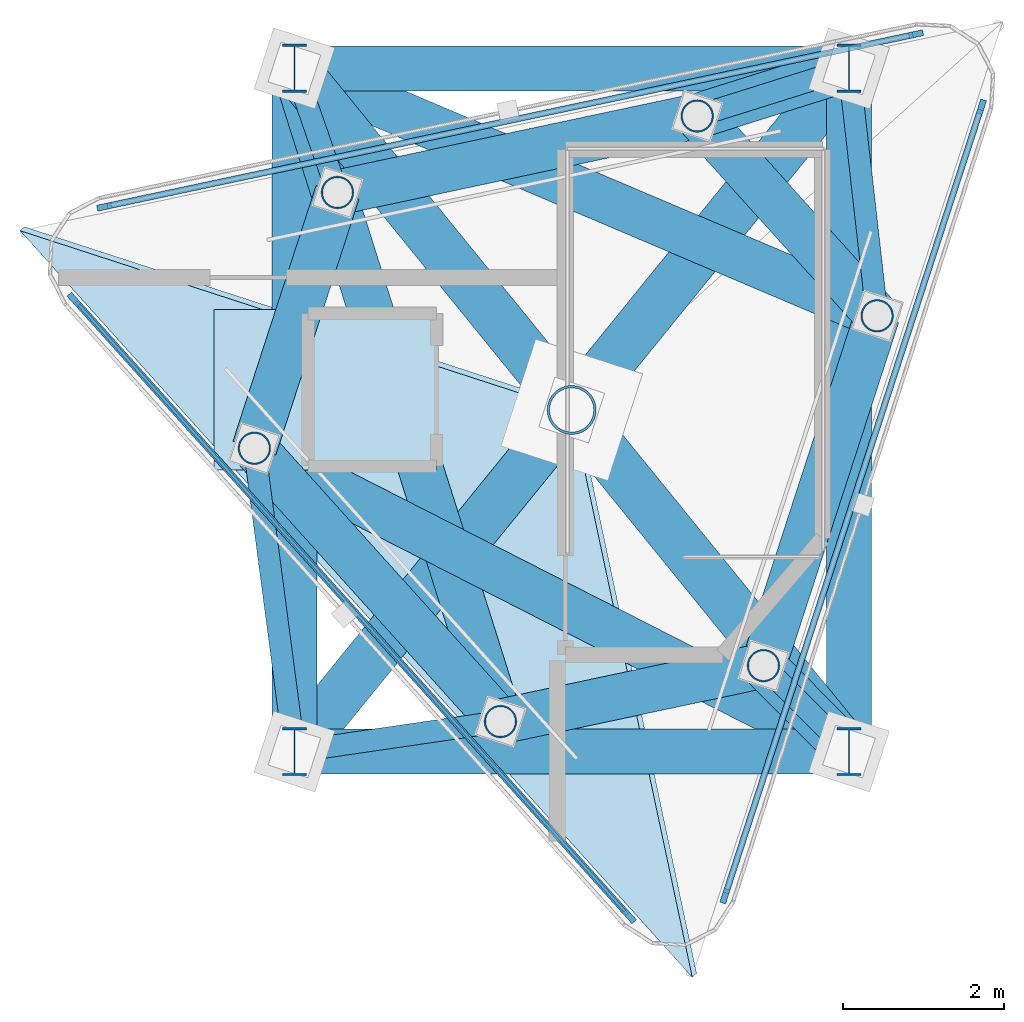
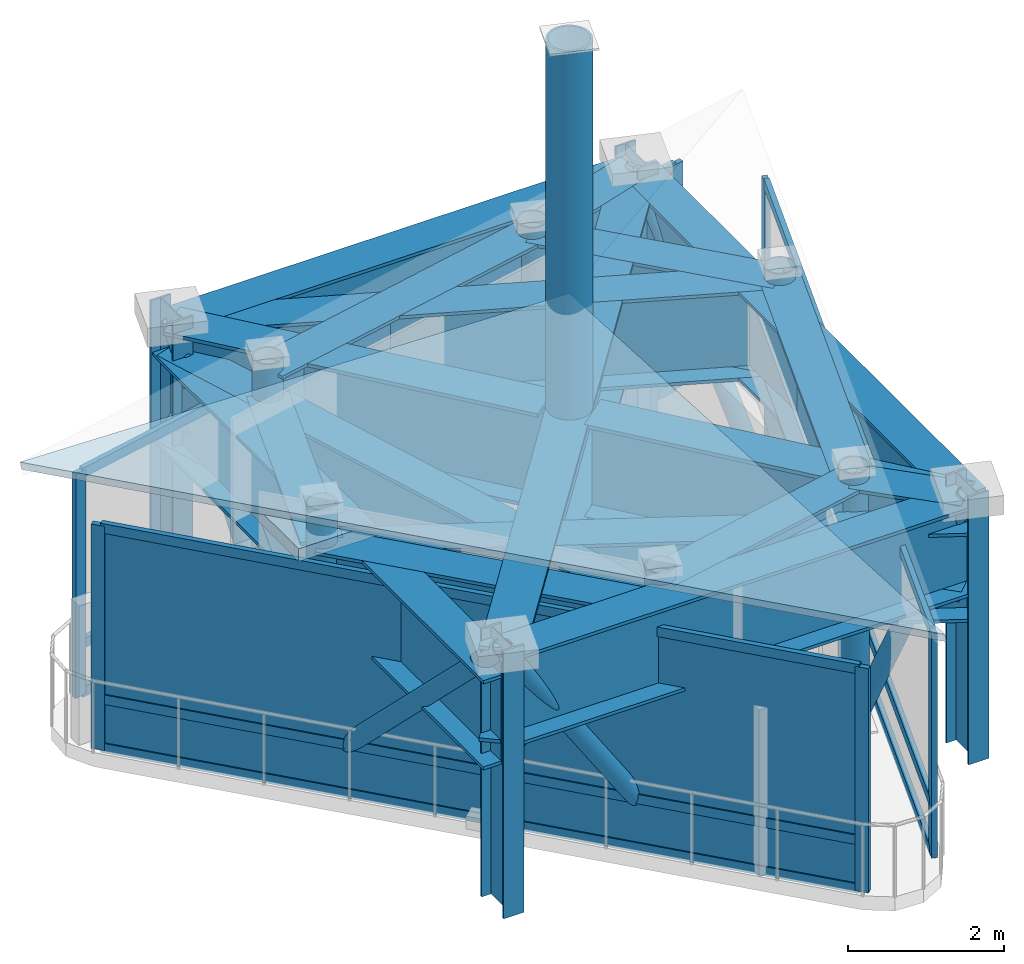
# One storey, part 1 of 3: 21 members, 18 beams, 11 columns, 2 plates, 2 slabs, 3 elements without a shape of their own.
"""IFC4 building model written with IfcOpenShell, lengths in metres."""

from ifc_helpers import new_model, si_unit, direction, frame, origin, origin_2d, place, context, subcontext, project, spatial, polyline, rectangle, hollow_circle, i_section, outline, extrude, material, layer, layer_set, material_profile, profile_set, type_object, element, aggregate, save


model = new_model("IFC4")

# Units and contexts
model_context = context("Model", 3, precision=1e-05, world=origin(), true_north=direction((0.0, 1.0)))
body_context = subcontext(model_context, "Body", "Model", "MODEL_VIEW")
ifc_project = project(units=[si_unit("LENGTHUNIT", "METRE"), si_unit("AREAUNIT", "SQUARE_METRE"), si_unit("VOLUMEUNIT", "CUBIC_METRE"), si_unit("PLANEANGLEUNIT", "RADIAN"), si_unit("MASSUNIT", "GRAM", prefix="KILO")], contexts=[model_context])

# Site, building, storey
site_placement = place(None, origin())
site = spatial("IfcSite", under=ifc_project, at=site_placement, CompositionType="ELEMENT")
building_placement = place(site_placement, origin())
building = spatial("IfcBuilding", under=site, at=building_placement, Name="Terralouvre Media Tower", CompositionType="ELEMENT")
storey_placement = place(building_placement, frame((0.0, 0.0, 339.199951171875)))
storey = spatial("IfcBuildingStorey", under=building, at=storey_placement, Name="L87", CompositionType="ELEMENT", Elevation=339.199951171875)

# Columns
ifc_material_1 = material(Name="Structural steel S460M", Category="steel")
ifc_material_profile_1 = material_profile(ifc_material_1, hollow_circle(Radius=0.304931640625, WallThickness=0.030029296875, at=origin_2d()), Name="CHS 610x30")
ifc_profile_set_1 = profile_set([ifc_material_profile_1], Name="Structural steel S460M")
column_type_1 = type_object("IfcColumnType", Name="Broadcast Spire Mast SP-01 (CHS 610x30)", PredefinedType="USERDEFINED", material=ifc_profile_set_1)
column_placement = place(storey_placement, frame((0.0, 0.0, 4.02001953125), z_axis=(0.0, 0.0, 1.0), x_axis=(1.0, 0.0, 0.0)))
element("IfcColumn", 1, at=column_placement, inside=storey, type_object=column_type_1, Name="Broadcast Spire Mast SP-01", ObjectType="SPIRE", PredefinedType="USERDEFINED", context=body_context, shape_type="SweptSolid", body=[
    extrude(hollow_circle(Radius=0.304931640625, WallThickness=0.030029296875, at=origin_2d()), origin(), (0.0, 0.0, 1.0), 5.780029296875),
])
ifc_material_2 = material(Name="Structural steel S460M", Category="steel")
ifc_material_profile_2 = material_profile(ifc_material_2, hollow_circle(Radius=0.203125, WallThickness=0.02001953125, at=origin_2d()), Name="CHS 406.4x20")
ifc_profile_set_2 = profile_set([ifc_material_profile_2], Name="Structural steel S460M")
column_type_2 = type_object("IfcColumnType", Name="Structural Column C-CHS406 (CHS 406.4x20)", PredefinedType="COLUMN", material=ifc_profile_set_2)
for number, where, z_axis, x_axis, name in (
    (2, (2.385986328125, -3.180908203125, 0.0), (0.0, 0.0, 1.0), (0.309016994375, 0.951056516295, 0.0), "L87 Perimeter Mega-Column CC11"),
    (3, (3.800048828125, 1.171142578125, 0.0), (0.0, 0.0, 1.0), (0.309016994375, 0.951056516295, 0.0), "L87 Perimeter Mega-Column CC12"),
    (4, (1.561767578125, 3.65673828125, 0.0), (0.0, 0.0, 1.0), (0.309016994375, 0.951056516295, 0.0), "L87 Perimeter Mega-Column CC21"),
    (5, (-2.9140625, 2.70556640625, 0.0), (0.0, 0.0, 1.0), (0.309016994375, 0.951056516295, 0.0), "L87 Perimeter Mega-Column CC22"),
    (6, (-3.94775390625, -0.475830078125, 0.0), (0.0, 0.0, 1.0), (0.309016994375, 0.951056516295, 0.0), "L87 Perimeter Mega-Column CC31"),
    (7, (-0.885986328125, -3.87646484375, 0.0), (0.0, 0.0, 1.0), (0.309016994375, 0.951056516295, 0.0), "L87 Perimeter Mega-Column CC32"),
):
    element("IfcColumn", number, at=place(storey_placement, frame(where, z_axis=z_axis, x_axis=x_axis)), inside=storey, type_object=column_type_2, Name=name, PredefinedType="COLUMN", context=body_context, shape_type="SweptSolid", body=[
        extrude(hollow_circle(Radius=0.203125, WallThickness=0.02001953125, at=origin_2d()), origin(), (0.0, 0.0, 1.0), 4.199951171875),
    ])
ifc_material_3 = material(Name="Structural steel S460M", Category="steel")
ifc_material_profile_3 = material_profile(ifc_material_3, i_section(OverallWidth=0.300048828125, OverallDepth=0.60009765625, WebThickness=0.015380859375, FlangeThickness=0.030029296875, at=origin_2d()), Name="HEB 600")
ifc_profile_set_3 = profile_set([ifc_material_profile_3], Name="Structural steel S460M")
column_type_3 = type_object("IfcColumnType", Name="Structural Column C-HEB600 (HEB 600)", PredefinedType="COLUMN", material=ifc_profile_set_3)
for number, where, z_axis, x_axis, name in (
    (8, (-3.449951171875, -4.25, 0.0), (0.0, 0.0, 1.0), (1.0, 0.0, 0.0), "L87 Core Pilaster Column CP1"),
    (9, (3.449951171875, -4.25, 0.0), (0.0, 0.0, 1.0), (1.0, 0.0, 0.0), "L87 Core Pilaster Column CP3"),
    (10, (3.449951171875, 4.25, 0.0), (0.0, 0.0, 1.0), (1.0, 0.0, 0.0), "L87 Core Pilaster Column CP5"),
    (11, (-3.449951171875, 4.25, 0.0), (0.0, 0.0, 1.0), (1.0, 0.0, 0.0), "L87 Core Pilaster Column CP7"),
):
    element("IfcColumn", number, at=place(storey_placement, frame(where, z_axis=z_axis, x_axis=x_axis)), inside=storey, type_object=column_type_3, Name=name, PredefinedType="COLUMN", context=body_context, shape_type="SweptSolid", body=[
        extrude(i_section(OverallWidth=0.300048828125, OverallDepth=0.60009765625, WebThickness=0.015380859375, FlangeThickness=0.030029296875, at=origin_2d()), origin(), (0.0, 0.0, 1.0), 4.199951171875),
    ])

# Curtain wall, members
ifc_material_4 = material(Name="Low-iron laminated double glazing with solar-control coating", Category="glass")
ifc_layer_1 = layer(ifc_material_4, 0.1650390625, Name="Faceted Glass-Point Crown Curtain Wall CW-06")
ifc_layer_set_1 = layer_set([ifc_layer_1], Name="Low-iron laminated double glazing with solar-control coating")
curtain_wall_type = type_object("IfcCurtainWallType", Name="Faceted Glass-Point Crown Curtain Wall CW-06", PredefinedType="NOTDEFINED", material=ifc_layer_set_1)
curtain_wall_1_placement = place(storey_placement, origin())
curtain_wall_1 = element("IfcCurtainWall", 12, at=curtain_wall_1_placement, inside=storey, type_object=curtain_wall_type, Name="L87 Facade Curtain Wall F0", PredefinedType="NOTDEFINED")
ifc_material_5 = material(Name="Anodised extruded aluminium 6063-T6", Category="aluminium")
ifc_material_profile_4 = material_profile(ifc_material_5, rectangle(XDim=0.074951171875, YDim=0.14990234375, at=origin_2d()), Name="ALU 75x150")
ifc_profile_set_4 = profile_set([ifc_material_profile_4], Name="Anodised extruded aluminium 6063-T6")
member_type_1 = type_object("IfcMemberType", Name="Curtain-Wall Horizontal Transom TR-150", PredefinedType="USERDEFINED", material=ifc_profile_set_4)
member_1_placement = place(storey_placement, frame((1.918212890625, -6.011962890625, 0.03759765625), z_axis=(0.309023057955, 0.951054546097, 0.0), x_axis=(-0.951054546097, 0.309023057955, 0.0)))
member_1 = element("IfcMember", 13, at=member_1_placement, type_object=member_type_1, Name="CW-06 transom 1.1", ObjectType="TRANSOM", PredefinedType="USERDEFINED", context=body_context, shape_type="SweptSolid", body=[
    extrude(rectangle(XDim=0.074951171875, YDim=0.14990234375, at=origin_2d()), origin(), (0.0, 0.0, 1.0), 10.25),
])
member_2_placement = place(storey_placement, frame((1.918212890625, -6.011962890625, 0.800048828125), z_axis=(0.309023057955, 0.951054546097, 0.0), x_axis=(-0.951054546097, 0.309023057955, 0.0)))
member_2 = element("IfcMember", 14, at=member_2_placement, type_object=member_type_1, Name="CW-06 transom 1.2", ObjectType="TRANSOM", PredefinedType="USERDEFINED", context=body_context, shape_type="SweptSolid", body=[
    extrude(rectangle(XDim=0.074951171875, YDim=0.14990234375, at=origin_2d()), origin(), (0.0, 0.0, 1.0), 10.25),
])
member_3_placement = place(storey_placement, frame((1.918212890625, -6.011962890625, 3.482666015625), z_axis=(0.309023057955, 0.951054546097, 0.0), x_axis=(-0.951054546097, 0.309023057955, 0.0)))
member_3 = element("IfcMember", 15, at=member_3_placement, type_object=member_type_1, Name="CW-06 transom 1.3", ObjectType="TRANSOM", PredefinedType="USERDEFINED", context=body_context, shape_type="SweptSolid", body=[
    extrude(rectangle(XDim=0.074951171875, YDim=0.14990234375, at=origin_2d()), origin(), (0.0, 0.0, 1.0), 10.25),
])

curtain_wall_2_placement = place(storey_placement, origin())
curtain_wall_2 = element("IfcCurtainWall", 16, at=curtain_wall_2_placement, inside=storey, type_object=curtain_wall_type, Name="L87 Facade Curtain Wall F1", PredefinedType="NOTDEFINED")
member_4_placement = place(storey_placement, frame((4.247314453125, 4.667236328125, 0.03759765625), z_axis=(-0.978146863283, -0.20791516022, 0.0), x_axis=(0.20791516022, -0.978146863283, 0.0)))
member_4 = element("IfcMember", 17, at=member_4_placement, type_object=member_type_1, Name="CW-06 transom 1.1", ObjectType="TRANSOM", PredefinedType="USERDEFINED", context=body_context, shape_type="SweptSolid", body=[
    extrude(rectangle(XDim=0.074951171875, YDim=0.14990234375, at=origin_2d()), origin(), (0.0, 0.0, 1.0), 10.249755859375),
])
member_5_placement = place(storey_placement, frame((4.247314453125, 4.667236328125, 0.800048828125), z_axis=(-0.978146863283, -0.20791516022, 0.0), x_axis=(0.20791516022, -0.978146863283, 0.0)))
member_5 = element("IfcMember", 18, at=member_5_placement, type_object=member_type_1, Name="CW-06 transom 1.2", ObjectType="TRANSOM", PredefinedType="USERDEFINED", context=body_context, shape_type="SweptSolid", body=[
    extrude(rectangle(XDim=0.074951171875, YDim=0.14990234375, at=origin_2d()), origin(), (0.0, 0.0, 1.0), 10.249755859375),
])
member_6_placement = place(storey_placement, frame((4.247314453125, 4.667236328125, 3.482666015625), z_axis=(-0.978146863283, -0.20791516022, 0.0), x_axis=(0.20791516022, -0.978146863283, 0.0)))
member_6 = element("IfcMember", 19, at=member_6_placement, type_object=member_type_1, Name="CW-06 transom 1.3", ObjectType="TRANSOM", PredefinedType="USERDEFINED", context=body_context, shape_type="SweptSolid", body=[
    extrude(rectangle(XDim=0.074951171875, YDim=0.14990234375, at=origin_2d()), origin(), (0.0, 0.0, 1.0), 10.249755859375),
])

curtain_wall_3_placement = place(storey_placement, origin())
curtain_wall_3 = element("IfcCurtainWall", 20, at=curtain_wall_3_placement, inside=storey, type_object=curtain_wall_type, Name="L87 Facade Curtain Wall F2", PredefinedType="NOTDEFINED")
member_7_placement = place(storey_placement, frame((-6.165771484375, 1.3447265625, 0.03759765625), z_axis=(0.669135786686, -0.743140161058, 0.0), x_axis=(0.743140161058, 0.669135786686, 0.0)))
member_7 = element("IfcMember", 21, at=member_7_placement, type_object=member_type_1, Name="CW-06 transom 1.1", ObjectType="TRANSOM", PredefinedType="USERDEFINED", context=body_context, shape_type="SweptSolid", body=[
    extrude(rectangle(XDim=0.074951171875, YDim=0.14990234375, at=origin_2d()), origin(), (0.0, 0.0, 1.0), 10.25),
])
member_8_placement = place(storey_placement, frame((-6.165771484375, 1.3447265625, 0.800048828125), z_axis=(0.669135786686, -0.743140161058, 0.0), x_axis=(0.743140161058, 0.669135786686, 0.0)))
member_8 = element("IfcMember", 22, at=member_8_placement, type_object=member_type_1, Name="CW-06 transom 1.2", ObjectType="TRANSOM", PredefinedType="USERDEFINED", context=body_context, shape_type="SweptSolid", body=[
    extrude(rectangle(XDim=0.074951171875, YDim=0.14990234375, at=origin_2d()), origin(), (0.0, 0.0, 1.0), 10.25),
])
member_9_placement = place(storey_placement, frame((-6.165771484375, 1.3447265625, 3.482666015625), z_axis=(0.669135786686, -0.743140161058, 0.0), x_axis=(0.743140161058, 0.669135786686, 0.0)))
member_9 = element("IfcMember", 23, at=member_9_placement, type_object=member_type_1, Name="CW-06 transom 1.3", ObjectType="TRANSOM", PredefinedType="USERDEFINED", context=body_context, shape_type="SweptSolid", body=[
    extrude(rectangle(XDim=0.074951171875, YDim=0.14990234375, at=origin_2d()), origin(), (0.0, 0.0, 1.0), 10.25),
])

# Member
ifc_material_6 = material(Name="Anodised extruded aluminium 6063-T6", Category="aluminium")
ifc_material_profile_5 = material_profile(ifc_material_6, rectangle(XDim=0.074951171875, YDim=0.179931640625, at=origin_2d()), Name="ALU 75x180")
ifc_profile_set_5 = profile_set([ifc_material_profile_5], Name="Anodised extruded aluminium 6063-T6")
member_type_2 = type_object("IfcMemberType", Name="Curtain-Wall Vertical Mullion ML-180", PredefinedType="MULLION", material=ifc_profile_set_5)
member_10_placement = place(storey_placement, frame((1.90673828125, -6.047607421875, 0.0), z_axis=(0.0, 0.0, 1.0), x_axis=(-0.951056444693, 0.309017214744, 0.0)))
member_10 = element("IfcMember", 24, at=member_10_placement, type_object=member_type_2, Name="CW-06 mullion 1", PredefinedType="MULLION", context=body_context, shape_type="SweptSolid", body=[
    extrude(rectangle(XDim=0.074951171875, YDim=0.179931640625, at=origin_2d()), origin(), (0.0, 0.0, 1.0), 3.52001953125),
])

member_11_placement = place(storey_placement, frame((5.097412109375, 3.77197265625, 0.0), z_axis=(0.0, 0.0, 1.0), x_axis=(-0.951056444693, 0.309017214744, 0.0)))
member_11 = element("IfcMember", 25, at=member_11_placement, type_object=member_type_2, Name="CW-06 mullion 2", PredefinedType="MULLION", context=body_context, shape_type="SweptSolid", body=[
    extrude(rectangle(XDim=0.074951171875, YDim=0.179931640625, at=origin_2d()), origin(), (0.0, 0.0, 1.0), 3.52001953125),
])

aggregate(curtain_wall_1, [member_10, member_11, member_1, member_2, member_3])

member_12_placement = place(storey_placement, frame((4.2841796875, 4.675048828125, 0.0), z_axis=(0.0, 0.0, 1.0), x_axis=(0.207911643751, -0.978147610738, 0.0)))
member_12 = element("IfcMember", 26, at=member_12_placement, type_object=member_type_2, Name="CW-06 mullion 1", PredefinedType="MULLION", context=body_context, shape_type="SweptSolid", body=[
    extrude(rectangle(XDim=0.074951171875, YDim=0.179931640625, at=origin_2d()), origin(), (0.0, 0.0, 1.0), 3.52001953125),
])

member_13_placement = place(storey_placement, frame((-5.815185546875, 2.5283203125, 0.0), z_axis=(0.0, 0.0, 1.0), x_axis=(0.207911643751, -0.978147610738, 0.0)))
member_13 = element("IfcMember", 27, at=member_13_placement, type_object=member_type_2, Name="CW-06 mullion 2", PredefinedType="MULLION", context=body_context, shape_type="SweptSolid", body=[
    extrude(rectangle(XDim=0.074951171875, YDim=0.179931640625, at=origin_2d()), origin(), (0.0, 0.0, 1.0), 3.52001953125),
])

aggregate(curtain_wall_2, [member_12, member_13, member_4, member_5, member_6])

member_14_placement = place(storey_placement, frame((-6.19091796875, 1.37255859375, 0.0), z_axis=(0.0, 0.0, 1.0), x_axis=(0.743144908734, 0.669130513893, 0.0)))
member_14 = element("IfcMember", 28, at=member_14_placement, type_object=member_type_2, Name="CW-06 mullion 1", PredefinedType="MULLION", context=body_context, shape_type="SweptSolid", body=[
    extrude(rectangle(XDim=0.074951171875, YDim=0.179931640625, at=origin_2d()), origin(), (0.0, 0.0, 1.0), 3.52001953125),
])

member_15_placement = place(storey_placement, frame((0.718017578125, -6.30029296875, 0.0), z_axis=(0.0, 0.0, 1.0), x_axis=(0.743144908734, 0.669130513893, 0.0)))
member_15 = element("IfcMember", 29, at=member_15_placement, type_object=member_type_2, Name="CW-06 mullion 2", PredefinedType="MULLION", context=body_context, shape_type="SweptSolid", body=[
    extrude(rectangle(XDim=0.074951171875, YDim=0.179931640625, at=origin_2d()), origin(), (0.0, 0.0, 1.0), 3.52001953125),
])

# Members
ifc_material_7 = material(Name="Structural steel S355J2", Category="steel")
ifc_material_profile_6 = material_profile(ifc_material_7, hollow_circle(Radius=0.136474609375, WallThickness=0.012451171875, at=origin_2d()), Name="CHS 273x12.5")
ifc_profile_set_6 = profile_set([ifc_material_profile_6], Name="Structural steel S355J2")
member_type_3 = type_object("IfcMemberType", Name="Faceted Crown Rib Rafter RF-CHS273 (CHS 273x12.5)", PredefinedType="RAFTER", material=ifc_profile_set_6)
member_16_placement = place(storey_placement, frame((2.385986328125, -3.180908203125, 0.150146484375), z_axis=(0.256165978988, -0.257400372186, 0.931731742299), x_axis=(0.708804315121, 0.705405162205, 0.0)))
element("IfcMember", 30, at=member_16_placement, inside=storey, type_object=member_type_3, Name="L87 Faceted Glass-Point Crown Rib 25", PredefinedType="RAFTER", context=body_context, shape_type="SweptSolid", body=[
    extrude(hollow_circle(Radius=0.136474609375, WallThickness=0.012451171875, at=origin_2d()), origin(), (0.0, 0.0, 1.0), 4.1533203125),
])
member_17_placement = place(storey_placement, frame((3.800048828125, 1.171142578125, 0.150146484375), z_axis=(-0.070618301757, 0.621037240901, 0.780593236501), x_axis=(-0.993597015754, -0.112982167995, 0.0)))
element("IfcMember", 31, at=member_17_placement, inside=storey, type_object=member_type_3, Name="L87 Faceted Glass-Point Crown Rib 26", PredefinedType="RAFTER", context=body_context, shape_type="SweptSolid", body=[
    extrude(hollow_circle(Radius=0.136474609375, WallThickness=0.012451171875, at=origin_2d()), origin(), (0.0, 0.0, 1.0), 4.95751953125),
])
member_18_placement = place(storey_placement, frame((1.561767578125, 3.65673828125, 0.150146484375), z_axis=(0.434402629572, 0.136488025583, 0.89031756935), x_axis=(-0.299749614226, 0.954017907993, 0.0)))
element("IfcMember", 32, at=member_18_placement, inside=storey, type_object=member_type_3, Name="L87 Faceted Glass-Point Crown Rib 27", PredefinedType="RAFTER", context=body_context, shape_type="SweptSolid", body=[
    extrude(hollow_circle(Radius=0.136474609375, WallThickness=0.012451171875, at=origin_2d()), origin(), (0.0, 0.0, 1.0), 4.3466796875),
])
member_19_placement = place(storey_placement, frame((-2.9140625, 2.70556640625, 0.150146484375), z_axis=(-0.127562283928, 0.367635083429, 0.921179846258), x_axis=(-0.944744341805, -0.32780806675, 0.0)))
element("IfcMember", 33, at=member_19_placement, inside=storey, type_object=member_type_3, Name="L87 Faceted Glass-Point Crown Rib 28", PredefinedType="RAFTER", context=body_context, shape_type="SweptSolid", body=[
    extrude(hollow_circle(Radius=0.136474609375, WallThickness=0.012451171875, at=origin_2d()), origin(), (0.0, 0.0, 1.0), 4.200927734375),
])
member_20_placement = place(storey_placement, frame((-3.94775390625, -0.475830078125, 0.150146484375), z_axis=(0.091702532913, -0.695257212505, 0.71288712565), x_axis=(0.991413427928, 0.130764731195, 0.0)))
element("IfcMember", 34, at=member_20_placement, inside=storey, type_object=member_type_3, Name="L87 Faceted Glass-Point Crown Rib 29", PredefinedType="RAFTER", context=body_context, shape_type="SweptSolid", body=[
    extrude(hollow_circle(Radius=0.136474609375, WallThickness=0.012451171875, at=origin_2d()), origin(), (0.0, 0.0, 1.0), 5.428466796875),
])
member_21_placement = place(storey_placement, frame((-0.885986328125, -3.87646484375, 0.150146484375), z_axis=(-0.550539749638, -0.080206228999, 0.830947016902), x_axis=(0.14416465268, -0.989553714013, 0.0)))
element("IfcMember", 35, at=member_21_placement, inside=storey, type_object=member_type_3, Name="L87 Faceted Glass-Point Crown Rib 30", PredefinedType="RAFTER", context=body_context, shape_type="SweptSolid", body=[
    extrude(hollow_circle(Radius=0.136474609375, WallThickness=0.012451171875, at=origin_2d()), origin(), (0.0, 0.0, 1.0), 4.6572265625),
])

# Beams
ifc_material_8 = material(Name="Structural steel S460M", Category="steel")
ifc_material_profile_7 = material_profile(ifc_material_8, i_section(OverallWidth=0.56005859375, OverallDepth=1.39990234375, WebThickness=0.031982421875, FlangeThickness=0.050048828125, at=origin_2d()), Name="TG 1400x560")
ifc_profile_set_7 = profile_set([ifc_material_profile_7], Name="Structural steel S460M")
beam_type_1 = type_object("IfcBeamType", Name="Welded Transfer Girder TG-1400 (TG 1400x560)", PredefinedType="USERDEFINED", material=ifc_profile_set_7)
beam_1_placement = place(storey_placement, frame((-3.449951171875, -4.25, 3.320068359375), z_axis=(1.0, 0.0, 0.0), x_axis=(0.0, 1.0, 0.0)))
element("IfcBeam", 36, at=beam_1_placement, inside=storey, type_object=beam_type_1, Name="L87 Framing Beam BM-L87-CR01", ObjectType="TRANSFER GIRDER", PredefinedType="USERDEFINED", context=body_context, shape_type="SweptSolid", body=[
    extrude(i_section(OverallWidth=0.56005859375, OverallDepth=1.39990234375, WebThickness=0.031982421875, FlangeThickness=0.050048828125, at=origin_2d()), origin(), (0.0, 0.0, 1.0), 6.89990234375),
])
beam_2_placement = place(storey_placement, frame((3.449951171875, -4.25, 3.320068359375), z_axis=(0.0, 1.0, 0.0), x_axis=(-1.0, 0.0, 0.0)))
element("IfcBeam", 37, at=beam_2_placement, inside=storey, type_object=beam_type_1, Name="L87 Framing Beam BM-L87-CR02", ObjectType="TRANSFER GIRDER", PredefinedType="USERDEFINED", context=body_context, shape_type="SweptSolid", body=[
    extrude(i_section(OverallWidth=0.56005859375, OverallDepth=1.39990234375, WebThickness=0.031982421875, FlangeThickness=0.050048828125, at=origin_2d()), origin(), (0.0, 0.0, 1.0), 8.5),
])
beam_3_placement = place(storey_placement, frame((3.449951171875, 4.25, 3.320068359375), z_axis=(-1.0, 0.0, 0.0), x_axis=(0.0, -1.0, 0.0)))
element("IfcBeam", 38, at=beam_3_placement, inside=storey, type_object=beam_type_1, Name="L87 Framing Beam BM-L87-CR03", ObjectType="TRANSFER GIRDER", PredefinedType="USERDEFINED", context=body_context, shape_type="SweptSolid", body=[
    extrude(i_section(OverallWidth=0.56005859375, OverallDepth=1.39990234375, WebThickness=0.031982421875, FlangeThickness=0.050048828125, at=origin_2d()), origin(), (0.0, 0.0, 1.0), 6.89990234375),
])
beam_4_placement = place(storey_placement, frame((-3.449951171875, 4.25, 2.900146484375), z_axis=(0.0, -1.0, 0.0), x_axis=(1.0, 0.0, 0.0)))
element("IfcBeam", 39, at=beam_4_placement, inside=storey, type_object=beam_type_1, Name="L87 Framing Beam BM-L87-CR04", ObjectType="TRANSFER GIRDER", PredefinedType="USERDEFINED", context=body_context, shape_type="SweptSolid", body=[
    extrude(i_section(OverallWidth=0.56005859375, OverallDepth=1.39990234375, WebThickness=0.031982421875, FlangeThickness=0.050048828125, at=origin_2d()), origin(), (0.0, 0.0, 1.0), 8.5),
])
beam_5_placement = place(storey_placement, frame((-3.94775390625, -0.475830078125, 2.900146484375), z_axis=(0.669109157273, -0.743164137761, 0.0), x_axis=(0.743164137761, 0.669109157273, 0.0)))
element("IfcBeam", 40, at=beam_5_placement, inside=storey, type_object=beam_type_1, Name="L87 Framing Beam BM-L87-PR01", ObjectType="TRANSFER GIRDER", PredefinedType="USERDEFINED", context=body_context, shape_type="SweptSolid", body=[
    extrude(i_section(OverallWidth=0.56005859375, OverallDepth=1.39990234375, WebThickness=0.031982421875, FlangeThickness=0.050048828125, at=origin_2d()), origin(), (0.0, 0.0, 1.0), 4.575927734375),
])
beam_6_placement = place(storey_placement, frame((-0.885986328125, -3.87646484375, 3.320068359375), z_axis=(0.9781428959, 0.207933824087, 0.0), x_axis=(-0.207933824087, 0.9781428959, 0.0)))
element("IfcBeam", 41, at=beam_6_placement, inside=storey, type_object=beam_type_1, Name="L87 Framing Beam BM-L87-PR02", ObjectType="TRANSFER GIRDER", PredefinedType="USERDEFINED", context=body_context, shape_type="SweptSolid", body=[
    extrude(i_section(OverallWidth=0.56005859375, OverallDepth=1.39990234375, WebThickness=0.031982421875, FlangeThickness=0.050048828125, at=origin_2d()), origin(), (0.0, 0.0, 1.0), 3.344970703125),
])
beam_7_placement = place(storey_placement, frame((2.385986328125, -3.180908203125, 3.320068359375), z_axis=(0.309016101367, 0.951056806451, 0.0), x_axis=(-0.951056806451, 0.309016101367, 0.0)))
element("IfcBeam", 42, at=beam_7_placement, inside=storey, type_object=beam_type_1, Name="L87 Framing Beam BM-L87-PR03", ObjectType="TRANSFER GIRDER", PredefinedType="USERDEFINED", context=body_context, shape_type="SweptSolid", body=[
    extrude(i_section(OverallWidth=0.56005859375, OverallDepth=1.39990234375, WebThickness=0.031982421875, FlangeThickness=0.050048828125, at=origin_2d()), origin(), (0.0, 0.0, 1.0), 4.575927734375),
])
beam_8_placement = place(storey_placement, frame((3.800048828125, 1.171142578125, 3.320068359375), z_axis=(-0.669170367846, 0.743109022147, 0.0), x_axis=(-0.743109022147, -0.669170367846, 0.0)))
element("IfcBeam", 43, at=beam_8_placement, inside=storey, type_object=beam_type_1, Name="L87 Framing Beam BM-L87-PR04", ObjectType="TRANSFER GIRDER", PredefinedType="USERDEFINED", context=body_context, shape_type="SweptSolid", body=[
    extrude(i_section(OverallWidth=0.56005859375, OverallDepth=1.39990234375, WebThickness=0.031982421875, FlangeThickness=0.050048828125, at=origin_2d()), origin(), (0.0, 0.0, 1.0), 3.344970703125),
])
beam_9_placement = place(storey_placement, frame((1.561767578125, 3.65673828125, 3.320068359375), z_axis=(-0.978156274426, -0.207870880116, 0.0), x_axis=(0.207870880116, -0.978156274426, 0.0)))
element("IfcBeam", 44, at=beam_9_placement, inside=storey, type_object=beam_type_1, Name="L87 Framing Beam BM-L87-PR05", ObjectType="TRANSFER GIRDER", PredefinedType="USERDEFINED", context=body_context, shape_type="SweptSolid", body=[
    extrude(i_section(OverallWidth=0.56005859375, OverallDepth=1.39990234375, WebThickness=0.031982421875, FlangeThickness=0.050048828125, at=origin_2d()), origin(), (0.0, 0.0, 1.0), 4.57568359375),
])
beam_10_placement = place(storey_placement, frame((-2.9140625, 2.70556640625, 2.900146484375), z_axis=(-0.309015108884, -0.951057128926, 0.0), x_axis=(0.951057128926, -0.309015108884, 0.0)))
element("IfcBeam", 45, at=beam_10_placement, inside=storey, type_object=beam_type_1, Name="L87 Framing Beam BM-L87-PR06", ObjectType="TRANSFER GIRDER", PredefinedType="USERDEFINED", context=body_context, shape_type="SweptSolid", body=[
    extrude(i_section(OverallWidth=0.56005859375, OverallDepth=1.39990234375, WebThickness=0.031982421875, FlangeThickness=0.050048828125, at=origin_2d()), origin(), (0.0, 0.0, 1.0), 3.34521484375),
])
beam_11_placement = place(storey_placement, frame((3.449951171875, -4.25, 2.900146484375), z_axis=(-0.890770127253, 0.454454156536, 0.0), x_axis=(-0.454454156536, -0.890770127253, 0.0)))
element("IfcBeam", 46, at=beam_11_placement, inside=storey, type_object=beam_type_1, Name="L87 Framing Beam BM-L87-RD01", ObjectType="TRANSFER GIRDER", PredefinedType="USERDEFINED", context=body_context, shape_type="SweptSolid", body=[
    extrude(i_section(OverallWidth=0.56005859375, OverallDepth=1.39990234375, WebThickness=0.031982421875, FlangeThickness=0.050048828125, at=origin_2d()), origin(), (0.0, 0.0, 1.0), 8.304931640625),
])
beam_12_placement = place(storey_placement, frame((-3.449951171875, 4.25, 2.900146484375), z_axis=(0.300887287781, -0.953659708728, 0.0), x_axis=(0.953659708728, 0.300887287781, 0.0)))
element("IfcBeam", 47, at=beam_12_placement, inside=storey, type_object=beam_type_1, Name="L87 Framing Beam BM-L87-RD02", ObjectType="TRANSFER GIRDER", PredefinedType="USERDEFINED", context=body_context, shape_type="SweptSolid", body=[
    extrude(i_section(OverallWidth=0.56005859375, OverallDepth=1.39990234375, WebThickness=0.031982421875, FlangeThickness=0.050048828125, at=origin_2d()), origin(), (0.0, 0.0, 1.0), 8.521240234375),
])
beam_13_placement = place(storey_placement, frame((3.449951171875, -4.25, 3.320068359375), z_axis=(-0.705405162205, 0.708804315121, 0.0), x_axis=(-0.708804315121, -0.705405162205, 0.0)))
element("IfcBeam", 48, at=beam_13_placement, inside=storey, type_object=beam_type_1, Name="L87 Framing Beam BM-L87-RD03", ObjectType="TRANSFER GIRDER", PredefinedType="USERDEFINED", context=body_context, shape_type="SweptSolid", body=[
    extrude(i_section(OverallWidth=0.56005859375, OverallDepth=1.39990234375, WebThickness=0.031982421875, FlangeThickness=0.050048828125, at=origin_2d()), origin(), (0.0, 0.0, 1.0), 1.50830078125),
])
beam_14_placement = place(storey_placement, frame((-3.449951171875, 4.25, 3.320068359375), z_axis=(0.920440227934, -0.390883341678, 0.0), x_axis=(0.390883341678, 0.920440227934, 0.0)))
element("IfcBeam", 49, at=beam_14_placement, inside=storey, type_object=beam_type_1, Name="L87 Framing Beam BM-L87-RD04", ObjectType="TRANSFER GIRDER", PredefinedType="USERDEFINED", context=body_context, shape_type="SweptSolid", body=[
    extrude(i_section(OverallWidth=0.56005859375, OverallDepth=1.39990234375, WebThickness=0.031982421875, FlangeThickness=0.050048828125, at=origin_2d()), origin(), (0.0, 0.0, 1.0), 7.876708984375),
])
beam_15_placement = place(storey_placement, frame((3.449951171875, 4.25, 3.320068359375), z_axis=(-0.954017907993, -0.299749614226, 0.0), x_axis=(0.299749614226, -0.954017907993, 0.0)))
element("IfcBeam", 50, at=beam_15_placement, inside=storey, type_object=beam_type_1, Name="L87 Framing Beam BM-L87-RD05", ObjectType="TRANSFER GIRDER", PredefinedType="USERDEFINED", context=body_context, shape_type="SweptSolid", body=[
    extrude(i_section(OverallWidth=0.56005859375, OverallDepth=1.39990234375, WebThickness=0.031982421875, FlangeThickness=0.050048828125, at=origin_2d()), origin(), (0.0, 0.0, 1.0), 1.979248046875),
])
ifc_material_9 = material(Name="Structural steel S460M", Category="steel")
ifc_material_profile_8 = material_profile(ifc_material_9, i_section(OverallWidth=0.60009765625, OverallDepth=1.5, WebThickness=0.033935546875, FlangeThickness=0.054931640625, at=origin_2d()), Name="PG 1500x600")
ifc_profile_set_8 = profile_set([ifc_material_profile_8], Name="Structural steel S460M")
beam_type_2 = type_object("IfcBeamType", Name="Welded Transfer Girder TG-1500 (PG 1500x600)", PredefinedType="USERDEFINED", material=ifc_profile_set_8)
beam_16_placement = place(storey_placement, frame((-3.449951171875, -4.25, 3.27001953125), z_axis=(0.630243316617, 0.776397682802, 0.0), x_axis=(-0.776397682802, 0.630243316617, 0.0)))
element("IfcBeam", 51, at=beam_16_placement, inside=storey, type_object=beam_type_2, Name="L87 Spire Base Transfer Girder D1", ObjectType="TRANSFER GIRDER", PredefinedType="USERDEFINED", context=body_context, shape_type="SweptSolid", body=[
    extrude(i_section(OverallWidth=0.60009765625, OverallDepth=1.5, WebThickness=0.033935546875, FlangeThickness=0.054931640625, at=origin_2d()), origin(), (0.0, 0.0, 1.0), 10.947998046875),
])
for number, where, z_axis, x_axis, name in (
    (52, (-3.449951171875, 4.25, 3.27001953125), (0.630592625094, -0.776114000116, 0.0), (0.776114000116, 0.630592625094, 0.0), "L87 Spire Base Transfer Girder D2N"),
    (53, (3.449951171875, -4.25, 3.27001953125), (-0.630592625094, 0.776114000116, 0.0), (-0.776114000116, -0.630592625094, 0.0), "L87 Spire Base Transfer Girder D2S"),
):
    element("IfcBeam", number, at=place(storey_placement, frame(where, z_axis=z_axis, x_axis=x_axis)), inside=storey, type_object=beam_type_2, Name=name, ObjectType="TRANSFER GIRDER", PredefinedType="USERDEFINED", context=body_context, shape_type="SweptSolid", body=[
        extrude(i_section(OverallWidth=0.60009765625, OverallDepth=1.5, WebThickness=0.033935546875, FlangeThickness=0.054931640625, at=origin_2d()), origin(), (0.0, 0.0, 1.0), 5.15380859375),
    ])

# Slabs
ifc_material_10 = material(Name="Concrete C40/50", Category="concrete")
ifc_layer_2 = layer(ifc_material_10, 0.179931640625, Name="Crown Apex Roof Cap Slab S-CAP180")
ifc_layer_set_2 = layer_set([ifc_layer_2], Name="Concrete C40/50")
slab_type_1 = type_object("IfcSlabType", Name="Crown Apex Roof Cap Slab S-CAP180", PredefinedType="ROOF", material=ifc_layer_set_2)
slab_1_placement = place(storey_placement, frame((-6.86376953125, 2.230224609375, 4.199951171875), z_axis=(-0.301244859211, -0.271246258156, 0.914153708211), x_axis=(0.669136285547, -0.743139711874, 0.0)))
element("IfcSlab", 54, at=slab_1_placement, inside=storey, type_object=slab_type_1, Name="L87 Glass-Point Crown Pitched Roof Facet 3", PredefinedType="ROOF", context=body_context, shape_type="SweptSolid", body=[
    extrude(outline(polyline([(0.0, 0.0), (12.5, 0.0), (6.250244140625, 3.947265625), (0.0, 0.0)])), origin(), (0.0, 0.0, -1.0), 0.179931640625),
])
ifc_material_11 = material(Name="Concrete C50/60", Category="concrete")
ifc_layer_3 = layer(ifc_material_11, 0.199951171875, Name="Lift Pit and Overrun Structural Slab SL-LP200")
ifc_layer_set_3 = layer_set([ifc_layer_3], Name="Concrete C50/60")
slab_type_2 = type_object("IfcSlabType", Name="Lift Pit and Overrun Structural Slab SL-LP200", PredefinedType="FLOOR", material=ifc_layer_set_3)
slab_2_placement = place(storey_placement, frame((0.0, 0.0, 3.60009765625)))
element("IfcSlab", 55, at=slab_2_placement, inside=storey, type_object=slab_type_2, Name="CSL-01 Lift Hoistway Overrun Slab", PredefinedType="FLOOR", context=body_context, shape_type="SweptSolid", body=[
    extrude(outline(polyline([(-4.449951171875, -0.75), (-1.679931640625, -0.75), (-1.679931640625, 1.25), (-4.449951171875, 1.25), (-4.449951171875, -0.75)])), origin(), (0.0, 0.0, 1.0), 0.199951171875),
])

# Plate
ifc_material_12 = material(Name="Low-iron laminated double glazing with solar-control coating", Category="glass")
ifc_layer_4 = layer(ifc_material_12, 0.035888671875, Name="Vision Double-Glazed Unit CWP-01")
ifc_layer_set_4 = layer_set([ifc_layer_4], Name="Low-iron laminated double glazing with solar-control coating")
plate_type = type_object("IfcPlateType", Name="Vision Double-Glazed Unit CWP-01", PredefinedType="CURTAIN_PANEL", material=ifc_layer_set_4)
plate_1_placement = place(storey_placement, frame((-2.736328125, -2.4638671875, 0.074951171875), z_axis=(0.0, 0.0, 1.0), x_axis=(0.669130513893, -0.743144908734, 0.0)))
plate_1 = element("IfcPlate", 56, at=plate_1_placement, type_object=plate_type, Name="CW-06 panel 1.1", PredefinedType="CURTAIN_PANEL", context=body_context, shape_type="SweptSolid", body=[
    extrude(rectangle(XDim=10.25, YDim=0.035888671875, at=origin_2d()), origin(), (0.0, 0.0, 1.0), 0.6875),
])

plate_2_placement = place(storey_placement, frame((-2.736328125, -2.4638671875, 0.837646484375), z_axis=(0.0, 0.0, 1.0), x_axis=(0.669130513893, -0.743144908734, 0.0)))
plate_2 = element("IfcPlate", 57, at=plate_2_placement, type_object=plate_type, Name="CW-06 panel 1.2", PredefinedType="CURTAIN_PANEL", context=body_context, shape_type="SweptSolid", body=[
    extrude(rectangle(XDim=10.25, YDim=0.035888671875, at=origin_2d()), origin(), (0.0, 0.0, 1.0), 2.607421875),
])

aggregate(curtain_wall_3, [member_14, member_15, member_7, member_8, member_9, plate_1, plate_2])

save(model, "model.ifc")
